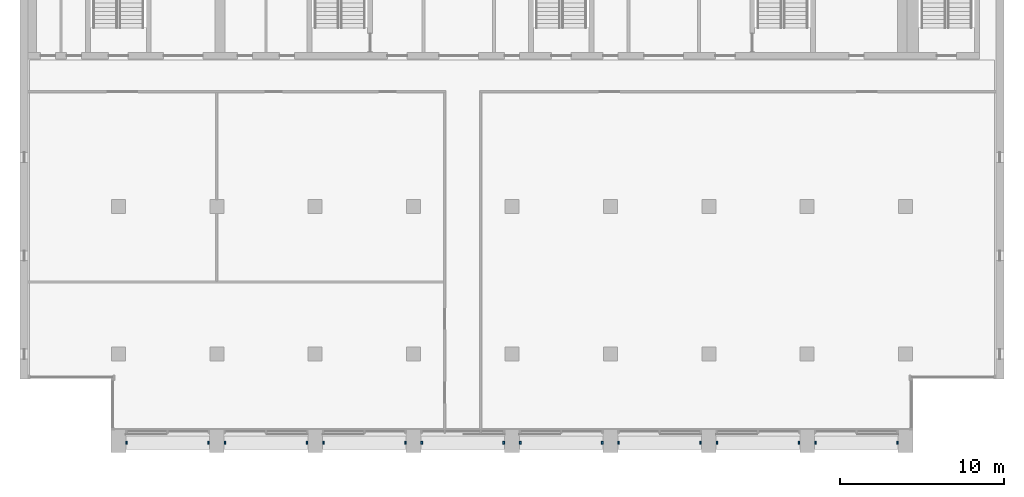
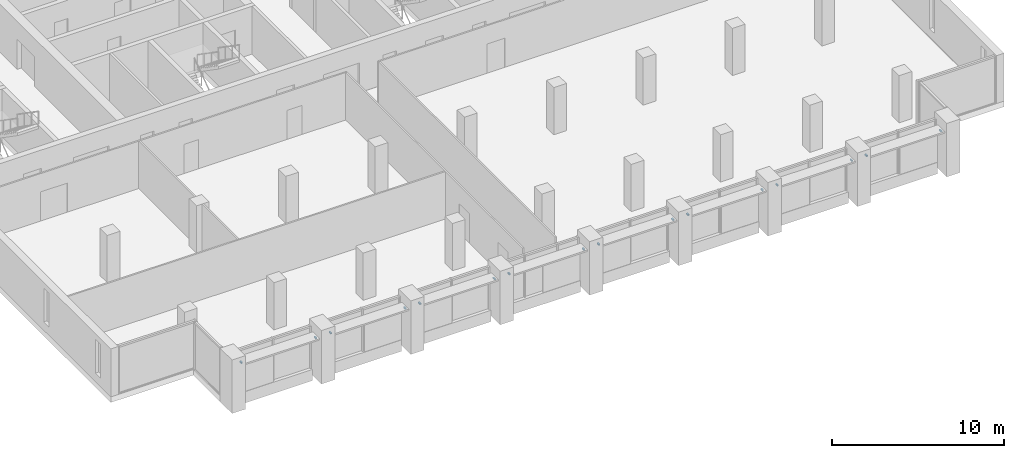
# One storey, part 13 of 14: 16 discrete accessories.
"""IFC4 building model written with IfcOpenShell, lengths in metres."""

from ifc_helpers import new_model, si_unit, direction, frame, origin, origin_2d, place, context, subcontext, project, spatial, rectangle, extrude, element, save


model = new_model("IFC4")

# Units and contexts
model_context = context("Model", 3, precision=1e-05, world=origin(), true_north=direction((0.0, 1.0)))
body_context = subcontext(model_context, "Body", "Model", "MODEL_VIEW")
ifc_project = project(units=[si_unit("LENGTHUNIT", "METRE"), si_unit("AREAUNIT", "SQUARE_METRE"), si_unit("VOLUMEUNIT", "CUBIC_METRE"), si_unit("PLANEANGLEUNIT", "RADIAN"), si_unit("MASSUNIT", "GRAM", prefix="KILO")], contexts=[model_context])

# Site, building, storey
site_placement = place(None, origin())
site = spatial("IfcSite", under=ifc_project, at=site_placement, CompositionType="ELEMENT")
building_placement = place(site_placement, origin())
building = spatial("IfcBuilding", under=site, at=building_placement, Name="Calvaro Tower", CompositionType="ELEMENT")
storey_placement = place(building_placement, frame((0.0, 0.0, 250.75)))
storey = spatial("IfcBuildingStorey", under=building, at=storey_placement, Name="L63", CompositionType="ELEMENT", Elevation=250.75)

# Discrete accessories
for number, where, z_axis, x_axis, name in (
    (1, (12.5, 4.60009765625, 2.5), (0.0, 0.0, 1.0), (1.0, 0.0, 0.0), "Brise-soleil bracket"),
    (2, (17.5, 4.60009765625, 2.5), (0.0, 0.0, 1.0), (1.0, 0.0, 0.0), "Brise-soleil bracket"),
    (3, (18.5, 4.60009765625, 2.5), (0.0, 0.0, 1.0), (1.0, 0.0, 0.0), "Brise-soleil bracket"),
    (4, (23.5, 4.60009765625, 2.5), (0.0, 0.0, 1.0), (1.0, 0.0, 0.0), "Brise-soleil bracket"),
    (5, (24.5, 4.60009765625, 2.5), (0.0, 0.0, 1.0), (1.0, 0.0, 0.0), "Brise-soleil bracket"),
    (6, (29.5, 4.60009765625, 2.5), (0.0, 0.0, 1.0), (1.0, 0.0, 0.0), "Brise-soleil bracket"),
    (7, (30.5, 4.60009765625, 2.5), (0.0, 0.0, 1.0), (1.0, 0.0, 0.0), "Brise-soleil bracket"),
    (8, (35.5, 4.60009765625, 2.5), (0.0, 0.0, 1.0), (1.0, 0.0, 0.0), "Brise-soleil bracket"),
    (9, (36.5, 4.60009765625, 2.5), (0.0, 0.0, 1.0), (1.0, 0.0, 0.0), "Brise-soleil bracket"),
    (10, (41.5, 4.60009765625, 2.5), (0.0, 0.0, 1.0), (1.0, 0.0, 0.0), "Brise-soleil bracket"),
    (11, (42.5, 4.60009765625, 2.5), (0.0, 0.0, 1.0), (1.0, 0.0, 0.0), "Brise-soleil bracket"),
    (12, (47.5, 4.60009765625, 2.5), (0.0, 0.0, 1.0), (1.0, 0.0, 0.0), "Brise-soleil bracket"),
    (13, (48.5, 4.60009765625, 2.5), (0.0, 0.0, 1.0), (1.0, 0.0, 0.0), "Brise-soleil bracket"),
    (14, (53.5, 4.60009765625, 2.5), (0.0, 0.0, 1.0), (1.0, 0.0, 0.0), "Brise-soleil bracket"),
    (15, (54.5, 4.60009765625, 2.5), (0.0, 0.0, 1.0), (1.0, 0.0, 0.0), "Brise-soleil bracket"),
    (16, (59.5, 4.60009765625, 2.5), (0.0, 0.0, 1.0), (1.0, 0.0, 0.0), "Brise-soleil bracket"),
):
    element("IfcDiscreteAccessory", number, at=place(storey_placement, frame(where, z_axis=z_axis, x_axis=x_axis)), inside=storey, Name=name, PredefinedType="BRACKET", context=body_context, shape_type="SweptSolid", body=[
        extrude(rectangle(XDim=0.10009765625, YDim=0.199951171875, at=origin_2d()), origin(), (0.0, 0.0, 1.0), 0.10009765625),
    ])

save(model, "model.ifc")
